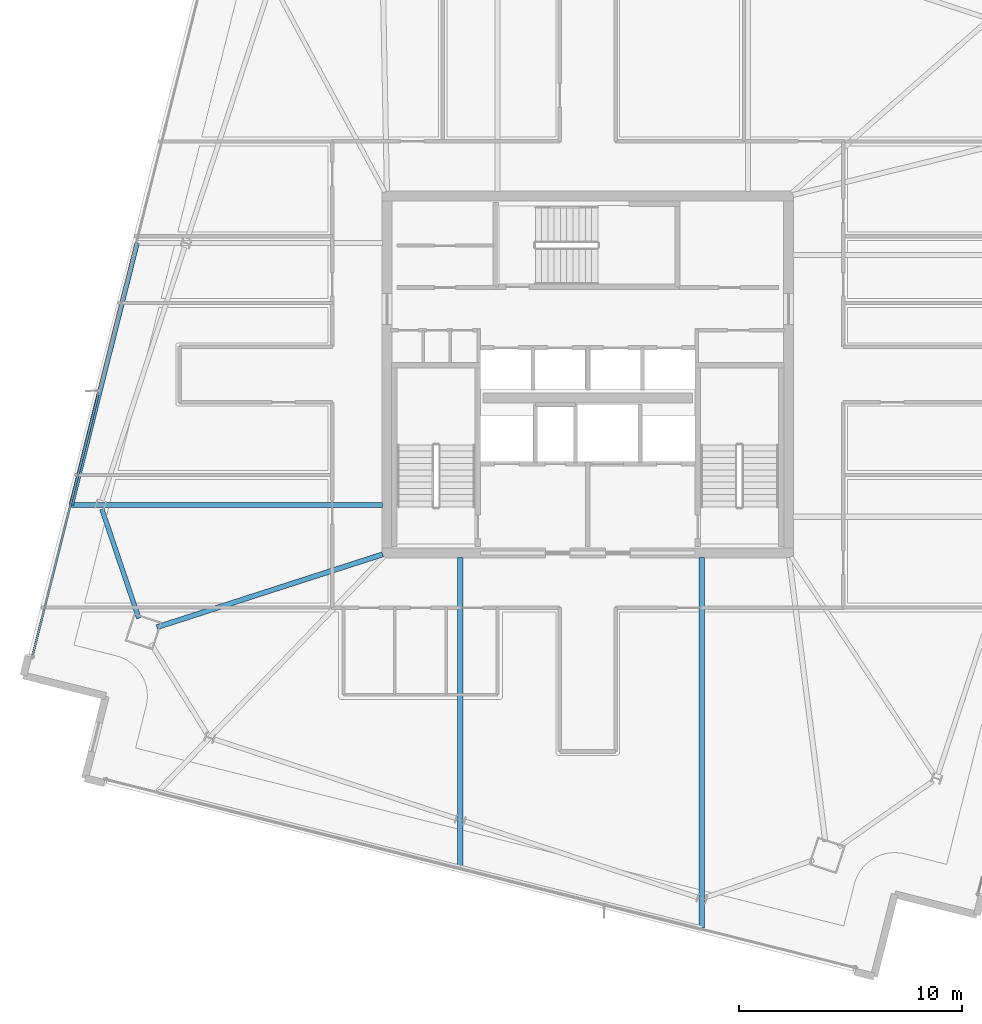
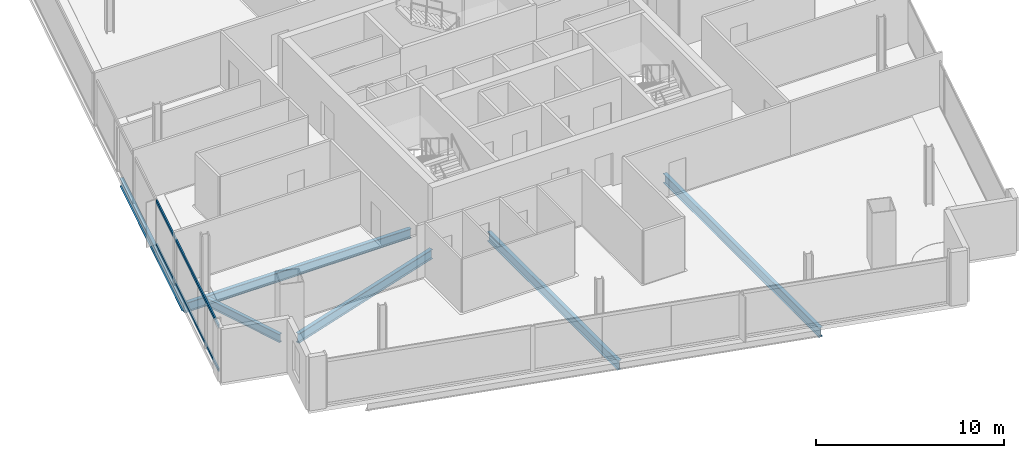
# One storey, part 5 of 28: 6 beams, 2 members, 1 element without a shape of its own.
"""IFC4 building model written with IfcOpenShell, lengths in metres."""

from ifc_helpers import new_model, si_unit, direction, frame, origin, origin_2d, place, context, subcontext, project, spatial, hollow_rectangle, i_section, extrude, material, material_profile, profile_set, type_object, element, aggregate, save


model = new_model("IFC4")

# Units and contexts
model_context = context("Model", 3, precision=1e-05, world=origin(), true_north=direction((0.0, 1.0)))
body_context = subcontext(model_context, "Body", "Model", "MODEL_VIEW")
ifc_project = project(units=[si_unit("LENGTHUNIT", "METRE"), si_unit("AREAUNIT", "SQUARE_METRE"), si_unit("VOLUMEUNIT", "CUBIC_METRE"), si_unit("PLANEANGLEUNIT", "RADIAN"), si_unit("MASSUNIT", "GRAM", prefix="KILO")], contexts=[model_context])

# Site, building, storey
site_placement = place(None, origin())
site = spatial("IfcSite", under=ifc_project, at=site_placement, CompositionType="ELEMENT")
building_placement = place(site_placement, origin())
building = spatial("IfcBuilding", under=site, at=building_placement, Name="Haldenkirk Collegiate Tower", CompositionType="ELEMENT")
storey_placement = place(building_placement, frame((0.0, 0.0, 282.449951171875)))
storey = spatial("IfcBuildingStorey", under=building, at=storey_placement, Name="L71", CompositionType="ELEMENT", Elevation=282.449951171875)

# Beams
ifc_material_1 = material(Name="Steel ASTM A992 Grade 50", Category="steel")
ifc_material_profile_1 = material_profile(ifc_material_1, i_section(OverallWidth=0.22998046875, OverallDepth=0.616943359375, WebThickness=0.01318359375, FlangeThickness=0.022216796875, at=origin_2d()), Name="W24X94")
ifc_profile_set_1 = profile_set([ifc_material_profile_1], Name="Steel ASTM A992 Grade 50")
beam_type_1 = type_object("IfcBeamType", Name="BM-GIRDER-W24X94", PredefinedType="BEAM", material=ifc_profile_set_1)
beam_1_placement = place(storey_placement, frame((16.677001953125, 14.66796875, -0.578369140625), z_axis=(0.95165454957, 0.307170340824, 0.0), x_axis=(-0.307170340824, 0.95165454957, 0.0)))
element("IfcBeam", 1, at=beam_1_placement, inside=storey, type_object=beam_type_1, Name="L71 primary floor girder 04", PredefinedType="BEAM", context=body_context, shape_type="SweptSolid", body=[
    extrude(i_section(OverallWidth=0.22998046875, OverallDepth=0.616943359375, WebThickness=0.01318359375, FlangeThickness=0.022216796875, at=origin_2d()), origin(), (0.0, 0.0, 1.0), 10.642333984375),
])
beam_2_placement = place(storey_placement, frame((12.849365234375, 20.157958984375, -0.578369140625), z_axis=(1.0, 0.0, 0.0), x_axis=(0.0, 1.0, 0.0)))
element("IfcBeam", 2, at=beam_2_placement, inside=storey, type_object=beam_type_1, Name="L71 primary floor girder 13", PredefinedType="BEAM", context=body_context, shape_type="SweptSolid", body=[
    extrude(i_section(OverallWidth=0.22998046875, OverallDepth=0.616943359375, WebThickness=0.01318359375, FlangeThickness=0.022216796875, at=origin_2d()), origin(), (0.0, 0.0, 1.0), 13.945556640625),
])
beam_3_placement = place(storey_placement, frame((30.283203125, 3.896728515625, -0.578369140625), z_axis=(0.0, 1.0, 0.0), x_axis=(-1.0, 0.0, 0.0)))
element("IfcBeam", 3, at=beam_3_placement, inside=storey, type_object=beam_type_1, Name="L71 primary floor girder 15", PredefinedType="BEAM", context=body_context, shape_type="SweptSolid", body=[
    extrude(i_section(OverallWidth=0.22998046875, OverallDepth=0.616943359375, WebThickness=0.01318359375, FlangeThickness=0.022216796875, at=origin_2d()), origin(), (0.0, 0.0, 1.0), 13.898193359375),
])
beam_4_placement = place(storey_placement, frame((41.111083984375, 1.177001953125, -0.578369140625), z_axis=(0.0, 1.0, 0.0), x_axis=(-1.0, 0.0, 0.0)))
element("IfcBeam", 4, at=beam_4_placement, inside=storey, type_object=beam_type_1, Name="L71 primary floor girder 16", PredefinedType="BEAM", context=body_context, shape_type="SweptSolid", body=[
    extrude(i_section(OverallWidth=0.22998046875, OverallDepth=0.616943359375, WebThickness=0.01318359375, FlangeThickness=0.022216796875, at=origin_2d()), origin(), (0.0, 0.0, 1.0), 16.617919921875),
])
ifc_material_profile_2 = material_profile(ifc_material_1, i_section(OverallWidth=0.2099609375, OverallDepth=0.537109375, WebThickness=0.010986328125, FlangeThickness=0.017333984375, at=origin_2d()), Name="W21X68")
ifc_profile_set_2 = profile_set([ifc_material_profile_2], Name="Steel ASTM A992 Grade 50")
beam_type_2 = type_object("IfcBeamType", Name="BM-SPANDREL-W21X68", PredefinedType="SPANDREL", material=ifc_profile_set_2)
beam_5_placement = place(storey_placement, frame((14.214599609375, 19.96630859375, -0.538330078125), z_axis=(0.321210878439, -0.947007693513, 0.0), x_axis=(0.947007693513, 0.321210878439, 0.0)))
element("IfcBeam", 5, at=beam_5_placement, inside=storey, type_object=beam_type_2, Name="L71 perimeter spandrel beam 12", PredefinedType="SPANDREL", context=body_context, shape_type="SweptSolid", body=[
    extrude(i_section(OverallWidth=0.2099609375, OverallDepth=0.537109375, WebThickness=0.010986328125, FlangeThickness=0.017333984375, at=origin_2d()), origin(), (0.0, 0.0, 1.0), 5.169189453125),
])
beam_6_placement = place(storey_placement, frame((15.797119140625, 31.8935546875, -0.538330078125), z_axis=(-0.243613147095, -0.969872483661, 0.0), x_axis=(0.969872483661, -0.243613147095, 0.0)))
element("IfcBeam", 6, at=beam_6_placement, inside=storey, type_object=beam_type_2, Name="L71 outer facade edge beam 3", PredefinedType="SPANDREL", context=body_context, shape_type="SweptSolid", body=[
    extrude(i_section(OverallWidth=0.2099609375, OverallDepth=0.537109375, WebThickness=0.010986328125, FlangeThickness=0.017333984375, at=origin_2d()), origin(), (0.0, 0.0, 1.0), 12.10009765625),
])

# Curtain wall, members
ifc_material_2 = material(Name="Anodised architectural bronze aluminium", Category="aluminium")
curtain_wall_type = type_object("IfcCurtainWallType", Name="CW-SYS1B-CONVEX-HI", PredefinedType="USERDEFINED", material=ifc_material_2)
curtain_wall_placement = place(storey_placement, origin())
curtain_wall = element("IfcCurtainWall", 7, at=curtain_wall_placement, inside=storey, type_object=curtain_wall_type, Name="L71 Upper tower high-wind convex bronze unitised curtain wall", ObjectType="UNITISED CURTAIN WALL", PredefinedType="USERDEFINED")
ifc_material_profile_3 = material_profile(ifc_material_2, hollow_rectangle(XDim=0.0849609375, YDim=0.199951171875, WallThickness=0.0048828125, at=origin_2d()), Name="CW-TRN-1B")
ifc_profile_set_3 = profile_set([ifc_material_profile_3], Name="Anodised architectural bronze aluminium")
member_type = type_object("IfcMemberType", Name="CW-TRN-1B", PredefinedType="USERDEFINED", material=ifc_profile_set_3)
member_1_placement = place(storey_placement, frame((11.115234375, 13.418212890625, 0.04248046875), z_axis=(0.24361737452, 0.969871421804, 0.0), x_axis=(-0.969871421804, 0.24361737452, 0.0)))
member_1 = element("IfcMember", 8, at=member_1_placement, type_object=member_type, Name="CW-1B transom 1.1", ObjectType="TRANSOM", PredefinedType="USERDEFINED", context=body_context, shape_type="SweptSolid", body=[
    extrude(hollow_rectangle(XDim=0.0849609375, YDim=0.199951171875, WallThickness=0.0048828125, at=origin_2d()), origin(), (0.0, 0.0, 1.0), 12.10595703125),
])
member_2_placement = place(storey_placement, frame((11.115234375, 13.418212890625, 2.8955078125), z_axis=(0.24361737452, 0.969871421804, 0.0), x_axis=(-0.969871421804, 0.24361737452, 0.0)))
member_2 = element("IfcMember", 9, at=member_2_placement, type_object=member_type, Name="CW-1B transom 1.2", ObjectType="TRANSOM", PredefinedType="USERDEFINED", context=body_context, shape_type="SweptSolid", body=[
    extrude(hollow_rectangle(XDim=0.0849609375, YDim=0.199951171875, WallThickness=0.0048828125, at=origin_2d()), origin(), (0.0, 0.0, 1.0), 12.10595703125),
])
aggregate(curtain_wall, [member_1, member_2])

save(model, "model.ifc")
